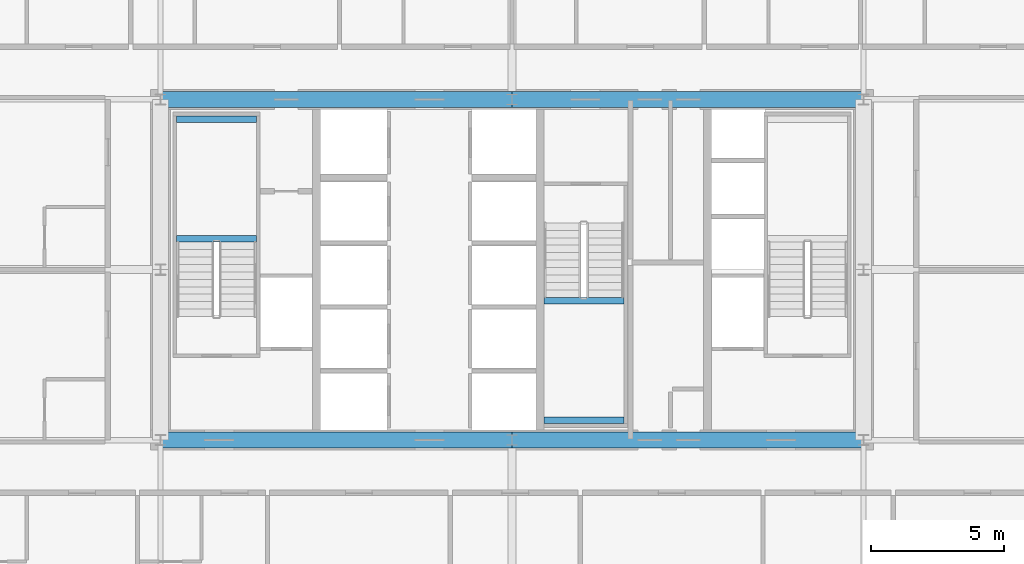
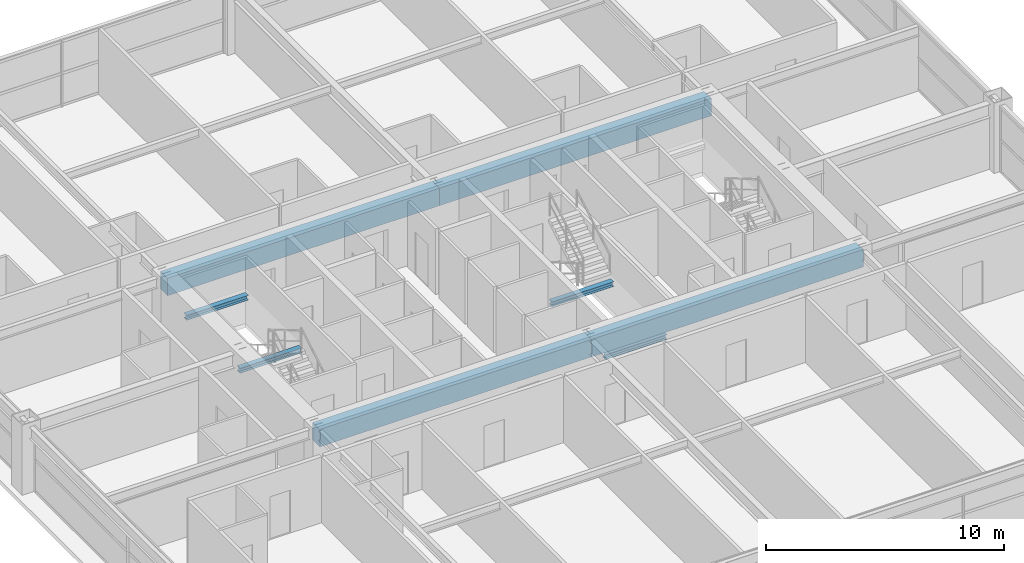
# One storey, part 13 of 39: 8 beams.
"""IFC4 building model written with IfcOpenShell, lengths in metres."""

from ifc_helpers import new_model, si_unit, direction, frame, origin, origin_2d, place, context, subcontext, project, spatial, rectangle, i_section, extrude, source, transform, mapped, material, material_profile, profile_set, type_object, element, save


model = new_model("IFC4")

# Units and contexts
model_context = context("Model", 3, precision=1e-05, world=origin(), true_north=direction((0.0, 1.0)))
body_context = subcontext(model_context, "Body", "Model", "MODEL_VIEW")
ifc_project = project(units=[si_unit("LENGTHUNIT", "METRE"), si_unit("AREAUNIT", "SQUARE_METRE"), si_unit("VOLUMEUNIT", "CUBIC_METRE"), si_unit("PLANEANGLEUNIT", "RADIAN"), si_unit("MASSUNIT", "GRAM", prefix="KILO"), si_unit("THERMODYNAMICTEMPERATUREUNIT", "KELVIN"), si_unit("POWERUNIT", "WATT")], contexts=[model_context])

# Site, building, storey
site_placement = place(None, origin())
site = spatial("IfcSite", under=ifc_project, at=site_placement, CompositionType="ELEMENT")
building_placement = place(site_placement, origin())
building = spatial("IfcBuilding", under=site, at=building_placement, Name="Yuzanri Waterfront Tower", CompositionType="ELEMENT")
storey_placement = place(building_placement, frame((0.0, 0.0, 156.0)))
storey = spatial("IfcBuildingStorey", under=building, at=storey_placement, Name="L41", CompositionType="ELEMENT", Elevation=156.0)

# Beams
ifc_material_1 = material(Name="Concrete C60", Category="concrete")
ifc_material_profile_1 = material_profile(ifc_material_1, rectangle(XDim=0.60009765625, YDim=0.89990234375, at=origin_2d()), Name="RC 600x900")
ifc_profile_set_1 = profile_set([ifc_material_profile_1], Name="Concrete C60")
beam_type_1 = type_object("IfcBeamType", Name="Core Coupling Lintel Concrete C60 600x900", PredefinedType="LINTEL", material=ifc_profile_set_1)
shared_shape_1 = source(origin(), body_context, "Body", "SweptSolid", [
    extrude(rectangle(XDim=0.60009765625, YDim=0.89990234375, at=origin_2d()), origin(), (0.0, 0.0, 1.0), 13.199951171875),
])
for number, where, z_axis, x_axis, name in (
    (1, (23.800048828125, 19.39990234375, 2.929931640625), (1.0, 0.0, 0.0), (0.0, 1.0, 0.0), "L41 Core Tie Beam CS1"),
    (2, (37.0, 19.39990234375, 2.929931640625), (1.0, 0.0, 0.0), (0.0, 1.0, 0.0), "L41 Core Tie Beam CS2"),
    (3, (23.800048828125, 32.199951171875, 2.929931640625), (1.0, 0.0, 0.0), (0.0, 1.0, 0.0), "L41 Core Tie Beam CN1"),
    (4, (37.0, 32.199951171875, 2.929931640625), (1.0, 0.0, 0.0), (0.0, 1.0, 0.0), "L41 Core Tie Beam CN2"),
):
    element("IfcBeam", number, at=place(storey_placement, frame(where, z_axis=z_axis, x_axis=x_axis)), inside=storey, type_object=beam_type_1, Name=name, PredefinedType="LINTEL", context=body_context, shape_type="MappedRepresentation", body=[
        mapped(shared_shape_1, transform((0.0, 0.0, 0.0), scale=1.0)),
    ])
ifc_material_2 = material(Name="Steel Q355B", Category="steel")
ifc_material_profile_2 = material_profile(ifc_material_2, i_section(OverallWidth=0.25, OverallDepth=0.25, WebThickness=0.009033203125, FlangeThickness=0.013916015625, at=origin_2d()), Name="HW 250x250x9x14")
ifc_profile_set_2 = profile_set([ifc_material_profile_2], Name="Steel Q355B")
beam_type_2 = type_object("IfcBeamType", Name="Stair Landing Support Beam Q355B HW 250x250", PredefinedType="BEAM", material=ifc_profile_set_2)
shared_shape_2 = source(origin(), body_context, "Body", "SweptSolid", [
    extrude(i_section(OverallWidth=0.25, OverallDepth=0.25, WebThickness=0.009033203125, FlangeThickness=0.013916015625, at=origin_2d()), origin(), (0.0, 0.0, 1.0), 3.0),
])
for number, where, z_axis, x_axis, name in (
    (5, (24.39990234375, 26.969970703125, 1.47509765625), (1.0, 0.0, 0.0), (0.0, 1.0, 0.0), "L41 Stair Landing Support Beam ST-01-L41-L1-1"),
    (6, (24.39990234375, 31.449951171875, 1.47509765625), (1.0, 0.0, 0.0), (0.0, 1.0, 0.0), "L41 Stair Landing Support Beam ST-01-L41-L1-2"),
    (7, (38.199951171875, 20.14990234375, 1.47509765625), (1.0, 0.0, 0.0), (0.0, 1.0, 0.0), "L41 Stair Landing Support Beam ST-03-L41-L1-1"),
    (8, (38.199951171875, 24.6298828125, 1.47509765625), (1.0, 0.0, 0.0), (0.0, 1.0, 0.0), "L41 Stair Landing Support Beam ST-03-L41-L1-2"),
):
    element("IfcBeam", number, at=place(storey_placement, frame(where, z_axis=z_axis, x_axis=x_axis)), inside=storey, type_object=beam_type_2, Name=name, PredefinedType="BEAM", context=body_context, shape_type="MappedRepresentation", body=[
        mapped(shared_shape_2, transform((0.0, 0.0, 0.0), scale=1.0)),
    ])

save(model, "model.ifc")
